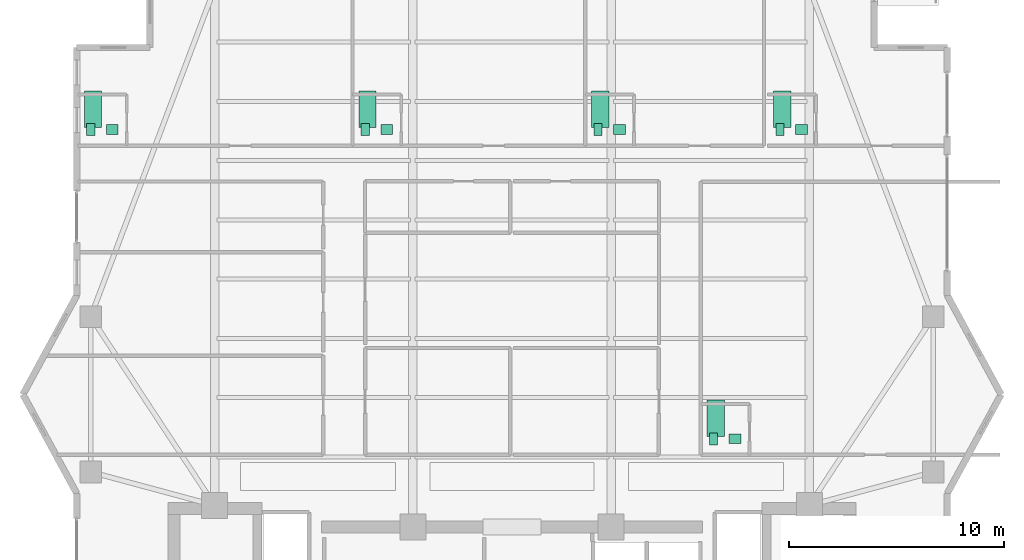
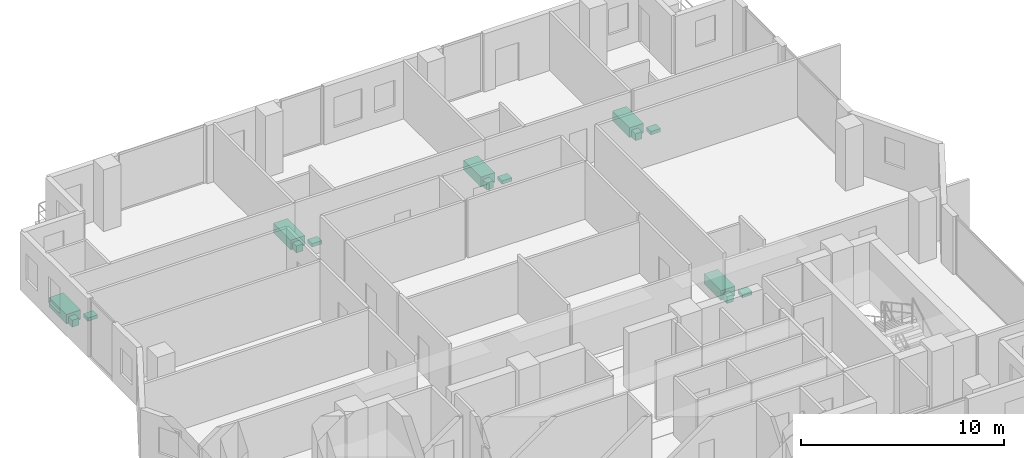
# One storey, part 23 of 23: 15 sanitary terminals.
"""IFC4 building model written with IfcOpenShell, lengths in metres."""

from ifc_helpers import new_model, si_unit, direction, frame, origin, origin_2d, place, context, subcontext, project, spatial, rectangle, extrude, material, type_object, element, save


model = new_model("IFC4")

# Units and contexts
model_context = context("Model", 3, precision=1e-05, world=origin(), true_north=direction((0.0, 1.0)))
body_context = subcontext(model_context, "Body", "Model", "MODEL_VIEW")
ifc_project = project(units=[si_unit("LENGTHUNIT", "METRE"), si_unit("AREAUNIT", "SQUARE_METRE"), si_unit("VOLUMEUNIT", "CUBIC_METRE"), si_unit("PLANEANGLEUNIT", "RADIAN"), si_unit("MASSUNIT", "GRAM", prefix="KILO")], contexts=[model_context])

# Site, building, storey
site_placement = place(None, origin())
site = spatial("IfcSite", under=ifc_project, at=site_placement, CompositionType="ELEMENT")
building_placement = place(site_placement, origin())
building = spatial("IfcBuilding", under=site, at=building_placement, Name="Zuhayl Quay Hotel", CompositionType="ELEMENT")
storey_placement = place(building_placement, frame((0.0, 0.0, 261.85009765625)))
storey = spatial("IfcBuildingStorey", under=building, at=storey_placement, Name="L66", CompositionType="ELEMENT", Elevation=261.85009765625)

# Sanitary terminals
ifc_material = material(Name="Vitreous Porcelain Sanitaryware")
sanitary_terminal_type_1 = type_object("IfcSanitaryTerminalType", Name="SAN_BASIN", PredefinedType="WASHHANDBASIN", material=ifc_material)
for number, where, z_axis, x_axis, name in (
    (1, (-18.550048828125, 31.7900390625, 0.0), (0.0, 0.0, 1.0), (1.0, 0.0, 0.0), "L66 Sanitary Fixture WASHHANDBASIN"),
    (2, (-5.81005859375, 31.7900390625, 0.0), (0.0, 0.0, 1.0), (1.0, 0.0, 0.0), "L66 Sanitary Fixture WASHHANDBASIN"),
    (3, (4.989990234375, 31.7900390625, 0.0), (0.0, 0.0, 1.0), (1.0, 0.0, 0.0), "L66 Sanitary Fixture WASHHANDBASIN"),
    (4, (13.43994140625, 31.7900390625, 0.0), (0.0, 0.0, 1.0), (1.0, 0.0, 0.0), "L66 Sanitary Fixture WASHHANDBASIN"),
    (5, (10.35009765625, 17.43994140625, 0.0), (0.0, 0.0, 1.0), (1.0, 0.0, 0.0), "L66 Sanitary Fixture WASHHANDBASIN"),
):
    element("IfcSanitaryTerminal", number, at=place(storey_placement, frame(where, z_axis=z_axis, x_axis=x_axis)), inside=storey, type_object=sanitary_terminal_type_1, Name=name, PredefinedType="WASHHANDBASIN", context=body_context, shape_type="SweptSolid", body=[
        extrude(rectangle(XDim=0.550048828125, YDim=0.449951171875, at=origin_2d()), origin(), (0.0, 0.0, 1.0), 0.199951171875),
    ])
sanitary_terminal_type_2 = type_object("IfcSanitaryTerminalType", Name="SAN_BATH", PredefinedType="BATH", material=ifc_material)
for number, where, z_axis, x_axis, name in (
    (6, (-19.449951171875, 32.739990234375, -0.000244140625), (0.0, 0.0, 1.0), (1.0, 0.0, 0.0), "L66 Sanitary Fixture BATH"),
    (7, (-6.7099609375, 32.739990234375, -0.000244140625), (0.0, 0.0, 1.0), (1.0, 0.0, 0.0), "L66 Sanitary Fixture BATH"),
    (8, (4.090087890625, 32.739990234375, -0.000244140625), (0.0, 0.0, 1.0), (1.0, 0.0, 0.0), "L66 Sanitary Fixture BATH"),
    (9, (12.5400390625, 32.739990234375, -0.000244140625), (0.0, 0.0, 1.0), (1.0, 0.0, 0.0), "L66 Sanitary Fixture BATH"),
    (10, (9.449951171875, 18.389892578125, -0.000244140625), (0.0, 0.0, 1.0), (1.0, 0.0, 0.0), "L66 Sanitary Fixture BATH"),
):
    element("IfcSanitaryTerminal", number, at=place(storey_placement, frame(where, z_axis=z_axis, x_axis=x_axis)), inside=storey, type_object=sanitary_terminal_type_2, Name=name, PredefinedType="BATH", context=body_context, shape_type="SweptSolid", body=[
        extrude(rectangle(XDim=0.800048828125, YDim=1.699951171875, at=origin_2d()), origin(), (0.0, 0.0, 1.0), 0.580078125),
    ])
sanitary_terminal_type_3 = type_object("IfcSanitaryTerminalType", Name="SAN_WC", PredefinedType="TOILETPAN", material=ifc_material)
for number, where, z_axis, x_axis, name in (
    (11, (-19.550048828125, 31.7900390625, 0.0), (0.0, 0.0, 1.0), (1.0, 0.0, 0.0), "L66 Sanitary Fixture TOILETPAN"),
    (12, (-6.81005859375, 31.7900390625, 0.0), (0.0, 0.0, 1.0), (1.0, 0.0, 0.0), "L66 Sanitary Fixture TOILETPAN"),
    (13, (3.989990234375, 31.7900390625, 0.0), (0.0, 0.0, 1.0), (1.0, 0.0, 0.0), "L66 Sanitary Fixture TOILETPAN"),
    (14, (12.43994140625, 31.7900390625, 0.0), (0.0, 0.0, 1.0), (1.0, 0.0, 0.0), "L66 Sanitary Fixture TOILETPAN"),
    (15, (9.35009765625, 17.43994140625, 0.0), (0.0, 0.0, 1.0), (1.0, 0.0, 0.0), "L66 Sanitary Fixture TOILETPAN"),
):
    element("IfcSanitaryTerminal", number, at=place(storey_placement, frame(where, z_axis=z_axis, x_axis=x_axis)), inside=storey, type_object=sanitary_terminal_type_3, Name=name, PredefinedType="TOILETPAN", context=body_context, shape_type="SweptSolid", body=[
        extrude(rectangle(XDim=0.3798828125, YDim=0.56005859375, at=origin_2d()), origin(), (0.0, 0.0, 1.0), 0.419921875),
    ])

save(model, "model.ifc")
